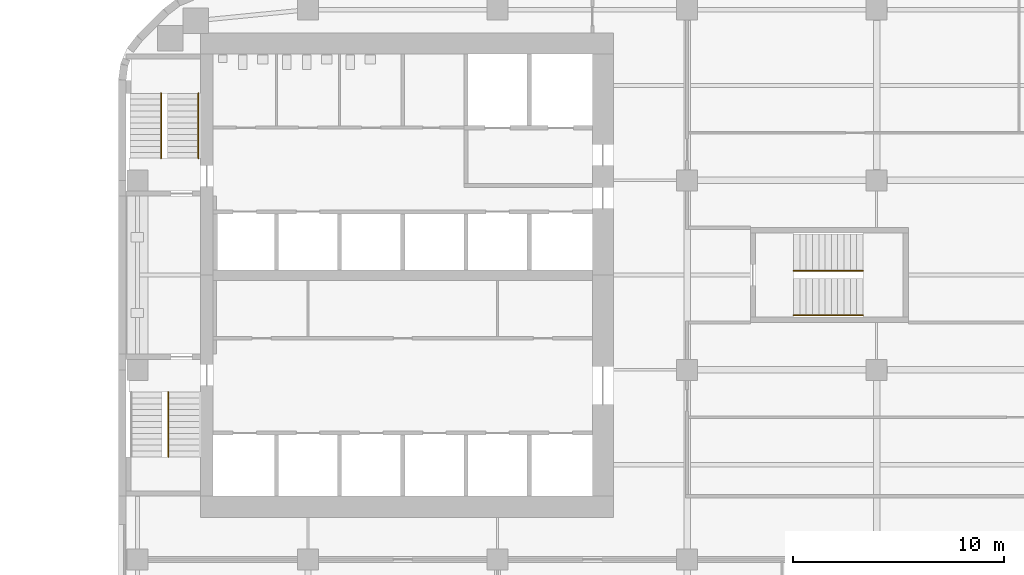
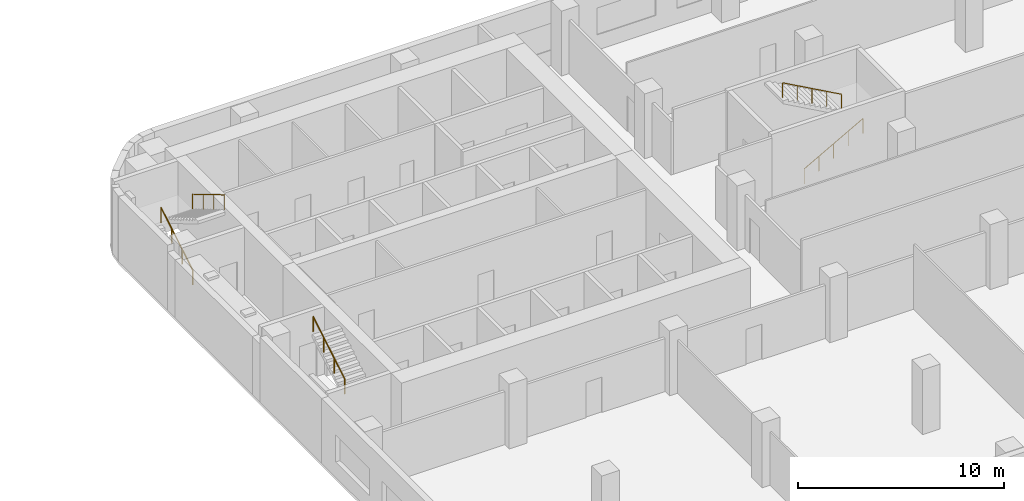
# One storey, part 14 of 15: 5 railings, 3 elements without a shape of their own.
"""IFC4 building model written with IfcOpenShell, lengths in metres."""

from ifc_helpers import new_model, si_unit, direction, frame, origin, origin_2d, place, context, subcontext, project, spatial, circle, extrude, material, type_object, element, aggregate, save


model = new_model("IFC4")

# Units and contexts
model_context = context("Model", 3, precision=1e-05, world=origin(), true_north=direction((0.0, 1.0)))
body_context = subcontext(model_context, "Body", "Model", "MODEL_VIEW")
ifc_project = project(units=[si_unit("LENGTHUNIT", "METRE"), si_unit("AREAUNIT", "SQUARE_METRE"), si_unit("VOLUMEUNIT", "CUBIC_METRE"), si_unit("PLANEANGLEUNIT", "RADIAN"), si_unit("MASSUNIT", "GRAM", prefix="KILO")], contexts=[model_context])

# Site, building, storey
site_placement = place(None, origin())
site = spatial("IfcSite", under=ifc_project, at=site_placement, CompositionType="ELEMENT")
building_placement = place(site_placement, origin())
building = spatial("IfcBuilding", under=site, at=building_placement, Name="Cinnabar Reach Civic Tower", CompositionType="ELEMENT")
storey_placement = place(building_placement, frame((0.0, 0.0, 67.0)))
storey = spatial("IfcBuildingStorey", under=building, at=storey_placement, Name="L15", CompositionType="ELEMENT", Elevation=67.0)

# Stair, railing
ifc_material_1 = material(Name="Concrete C40/50", Category="concrete")
stair_type = type_object("IfcStairType", Name="T1 Exit stair, half-turn", PredefinedType="HALF_TURN_STAIR", material=ifc_material_1)
stair_1_placement = place(storey_placement, origin())
stair_1 = element("IfcStair", 1, at=stair_1_placement, inside=storey, type_object=stair_type, Name="Stair T1-S1", PredefinedType="HALF_TURN_STAIR")
ifc_material_2 = material(Name="Stainless steel tube", Category="steel")
railing_type = type_object("IfcRailingType", Name="T1 Stair handrail, stainless tube 48", PredefinedType="HANDRAIL", material=ifc_material_2)
railing_1_placement = place(storey_placement, frame((2.375, 22.87, 2.1667)))
railing_1 = element("IfcRailing", 2, at=railing_1_placement, type_object=railing_type, Name="T1-S1 handrail 2", PredefinedType="HANDRAIL", context=body_context, shape_type="SweptSolid", body=[
    extrude(circle(Radius=0.024, at=origin_2d()), frame((0.0, 0.0, 0.876), z_axis=(0.0, 0.859296971757, 0.511476992962), x_axis=(-1.0, 0.0, 0.0)), (0.0, 0.0, 1.0), 3.5843),
    extrude(circle(Radius=0.021, at=origin_2d()), origin(), (0.0, 0.0, 1.0), 0.852),
    extrude(circle(Radius=0.021, at=origin_2d()), frame((0.0, 1.0267, 0.6111)), (0.0, 0.0, 1.0), 0.852),
    extrude(circle(Radius=0.021, at=origin_2d()), frame((0.0, 2.0533, 1.2222)), (0.0, 0.0, 1.0), 0.852),
    extrude(circle(Radius=0.021, at=origin_2d()), frame((0.0, 3.08, 1.8333)), (0.0, 0.0, 1.0), 0.852),
])
aggregate(stair_1, [railing_1])

# Stair, railings
stair_2_placement = place(storey_placement, origin())
stair_2 = element("IfcStair", 3, at=stair_2_placement, inside=storey, type_object=stair_type, Name="Stair T1-S2", PredefinedType="HALF_TURN_STAIR")
railing_2_placement = place(storey_placement, frame((2.025, 37.05, 0.1667)))
railing_2 = element("IfcRailing", 4, at=railing_2_placement, type_object=railing_type, Name="T1-S2 handrail 1", PredefinedType="HANDRAIL", context=body_context, shape_type="SweptSolid", body=[
    extrude(circle(Radius=0.024, at=origin_2d()), frame((0.0, 0.0, 0.876), z_axis=(0.0, 0.859296971757, 0.511476992962), x_axis=(-1.0, 0.0, 0.0)), (0.0, 0.0, 1.0), 3.5843),
    extrude(circle(Radius=0.021, at=origin_2d()), origin(), (0.0, 0.0, 1.0), 0.852),
    extrude(circle(Radius=0.021, at=origin_2d()), frame((0.0, 1.0267, 0.6111)), (0.0, 0.0, 1.0), 0.852),
    extrude(circle(Radius=0.021, at=origin_2d()), frame((0.0, 2.0533, 1.2222)), (0.0, 0.0, 1.0), 0.852),
    extrude(circle(Radius=0.021, at=origin_2d()), frame((0.0, 3.08, 1.8333)), (0.0, 0.0, 1.0), 0.852),
])
railing_3_placement = place(storey_placement, frame((3.8, 40.13, 2.1667)))
railing_3 = element("IfcRailing", 5, at=railing_3_placement, type_object=railing_type, Name="T1-S2 handrail 2", PredefinedType="HANDRAIL", context=body_context, shape_type="SweptSolid", body=[
    extrude(circle(Radius=0.024, at=origin_2d()), frame((0.0, 0.0, 0.876), z_axis=(0.0, -0.859296971757, 0.511476992962), x_axis=(1.0, 0.0, 0.0)), (0.0, 0.0, 1.0), 3.5843),
    extrude(circle(Radius=0.021, at=origin_2d()), origin(), (0.0, 0.0, 1.0), 0.852),
    extrude(circle(Radius=0.021, at=origin_2d()), frame((0.0, -1.0267, 0.6111)), (0.0, 0.0, 1.0), 0.852),
    extrude(circle(Radius=0.021, at=origin_2d()), frame((0.0, -2.0533, 1.2222)), (0.0, 0.0, 1.0), 0.852),
    extrude(circle(Radius=0.021, at=origin_2d()), frame((0.0, -3.08, 1.8333)), (0.0, 0.0, 1.0), 0.852),
])
aggregate(stair_2, [railing_2, railing_3])

stair_3_placement = place(storey_placement, origin())
stair_3 = element("IfcStair", 6, at=stair_3_placement, inside=storey, type_object=stair_type, Name="Stair T1-S3", PredefinedType="HALF_TURN_STAIR")
railing_4_placement = place(storey_placement, frame((32.05, 29.6, 0.1667)))
railing_4 = element("IfcRailing", 7, at=railing_4_placement, type_object=railing_type, Name="T1-S3 handrail 1", PredefinedType="HANDRAIL", context=body_context, shape_type="SweptSolid", body=[
    extrude(circle(Radius=0.024, at=origin_2d()), frame((0.0, 0.0, 0.876), z_axis=(0.874161024642, 0.0, 0.485636183781), x_axis=(0.0, 1.0, 0.0)), (0.0, 0.0, 1.0), 3.775),
    extrude(circle(Radius=0.021, at=origin_2d()), origin(), (0.0, 0.0, 1.0), 0.852),
    extrude(circle(Radius=0.021, at=origin_2d()), frame((0.825, 0.0, 0.4583)), (0.0, 0.0, 1.0), 0.852),
    extrude(circle(Radius=0.021, at=origin_2d()), frame((1.65, 0.0, 0.9166)), (0.0, 0.0, 1.0), 0.852),
    extrude(circle(Radius=0.021, at=origin_2d()), frame((2.475, 0.0, 1.375)), (0.0, 0.0, 1.0), 0.852),
    extrude(circle(Radius=0.021, at=origin_2d()), frame((3.3, 0.0, 1.8333)), (0.0, 0.0, 1.0), 0.852),
])
railing_5_placement = place(storey_placement, frame((35.35, 31.7, 2.1667)))
railing_5 = element("IfcRailing", 8, at=railing_5_placement, type_object=railing_type, Name="T1-S3 handrail 2", PredefinedType="HANDRAIL", context=body_context, shape_type="SweptSolid", body=[
    extrude(circle(Radius=0.024, at=origin_2d()), frame((0.0, 0.0, 0.876), z_axis=(-0.874161024642, 0.0, 0.485636183781), x_axis=(0.0, -1.0, 0.0)), (0.0, 0.0, 1.0), 3.775),
    extrude(circle(Radius=0.021, at=origin_2d()), origin(), (0.0, 0.0, 1.0), 0.852),
    extrude(circle(Radius=0.021, at=origin_2d()), frame((-0.825, 0.0, 0.4583)), (0.0, 0.0, 1.0), 0.852),
    extrude(circle(Radius=0.021, at=origin_2d()), frame((-1.65, 0.0, 0.9166)), (0.0, 0.0, 1.0), 0.852),
    extrude(circle(Radius=0.021, at=origin_2d()), frame((-2.475, 0.0, 1.375)), (0.0, 0.0, 1.0), 0.852),
    extrude(circle(Radius=0.021, at=origin_2d()), frame((-3.3, 0.0, 1.8333)), (0.0, 0.0, 1.0), 0.852),
])
aggregate(stair_3, [railing_4, railing_5])

save(model, "model.ifc")
